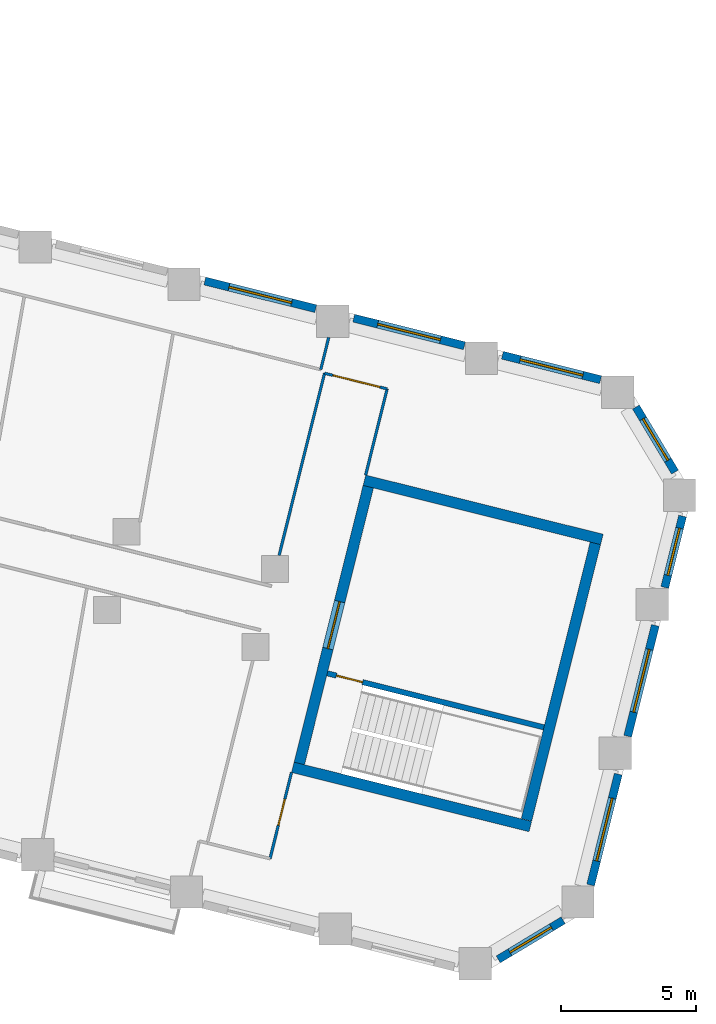
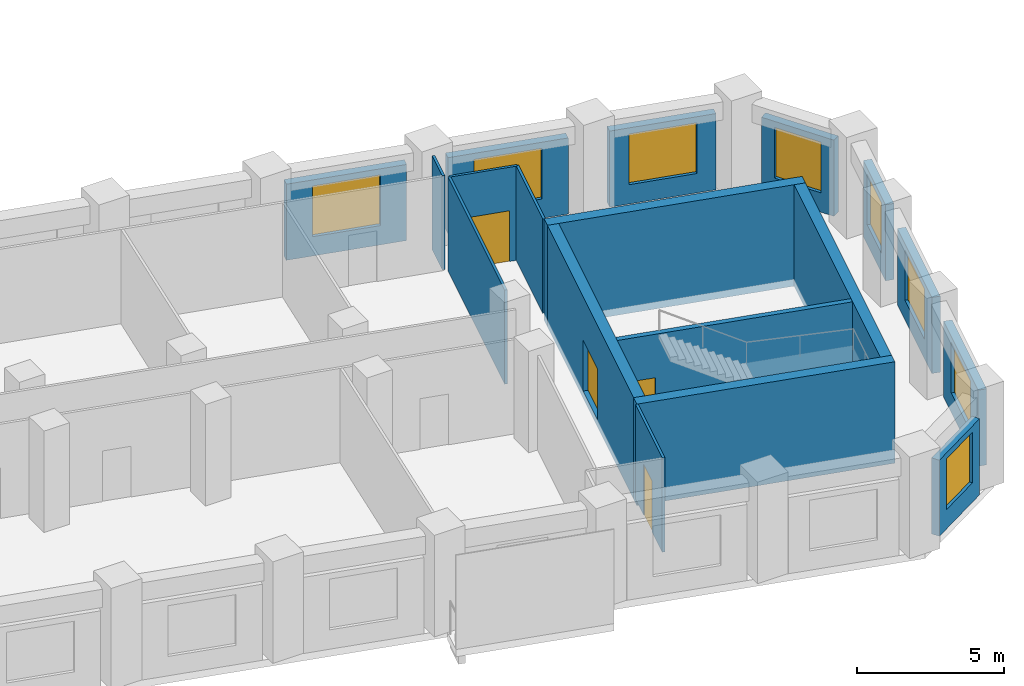
# One storey, part 7 of 10: 18 walls, 8 windows, 4 doors, 12 openings.
"""IFC4 building model written with IfcOpenShell, lengths in metres."""

import ifcopenshell
import ifcopenshell.guid

model = None  # the IFC model being written
_history = None  # IfcOwnerHistory: only IFC2X3 demands one
_inside = {}  # id of a spatial element -> (the spatial element, [elements in it])
_under = {}  # id of a project, library or spatial element -> (it, [spatial elements below it])
_declared = {}  # id of a project -> (the project, [libraries it declares])
_typed = {}  # id of a type object -> (the type object, [elements of that type])
_made_of = {}  # id of a material, layer set ... -> (it, [elements and type objects made of it])


def new_model(schema):
    """Start an empty IFC model of exactly this schema.

    Asked for "IFC4X3", IfcOpenShell would pick the latest addendum, in which some entities
    have other attributes; the version numbers below select the first issue.
    IFC2X3 requires an IfcOwnerHistory on every rooted entity: one is made here for all.
    """
    global model, _history
    if schema == "IFC4X3":
        model = ifcopenshell.file(schema_version=(4, 3, 0, 0))
    else:
        model = ifcopenshell.file(schema=schema)
    _inside.clear()
    _under.clear()
    _declared.clear()
    _typed.clear()
    _made_of.clear()
    _history = None
    if model.schema == "IFC2X3":
        org = make("IfcOrganization", Name="unknown")
        user = make(
            "IfcPersonAndOrganization",
            ThePerson=make("IfcPerson", FamilyName="unknown"),
            TheOrganization=org,
        )
        app = make(
            "IfcApplication",
            ApplicationDeveloper=org,
            Version="unknown",
            ApplicationFullName="unknown",
            ApplicationIdentifier="unknown",
        )
        _history = make(
            "IfcOwnerHistory",
            OwningUser=user,
            OwningApplication=app,
            ChangeAction="ADDED",
            CreationDate=0,
        )
    return model


def make(cls, **values):
    """One entity of the class cls with the attributes given. An attribute that is None is left unset."""
    return model.create_entity(
        cls, **{name: value for name, value in values.items() if value is not None}
    )


def rooted(cls, **values):
    """An entity with a GlobalId (a new one), such as an element, a storey or a relation."""
    return make(cls, GlobalId=ifcopenshell.guid.new(), OwnerHistory=_history, **values)


def si_unit(unit_type, name, prefix=None):
    """IfcSIUnit, for example si_unit("LENGTHUNIT", "METRE", prefix="MILLI")."""
    return make("IfcSIUnit", UnitType=unit_type, Prefix=prefix, Name=name)


def assignment(units):
    """IfcUnitAssignment: the units of a project."""
    return None if units is None else make("IfcUnitAssignment", Units=units)


def point(xyz):
    """IfcCartesianPoint."""
    return None if xyz is None else make("IfcCartesianPoint", Coordinates=xyz)


def direction(xyz):
    """IfcDirection."""
    return None if xyz is None else make("IfcDirection", DirectionRatios=xyz)


def frame(location, z_axis=None, x_axis=None):
    """IfcAxis2Placement3D, a coordinate frame: its origin and axes. An axis left out is left unset."""
    return make(
        "IfcAxis2Placement3D",
        Location=point(location),
        Axis=direction(z_axis),
        RefDirection=direction(x_axis),
    )


def frame_2d(location, x_axis=None):
    """IfcAxis2Placement2D, a coordinate frame in the plane: its origin and x axis."""
    return make(
        "IfcAxis2Placement2D", Location=point(location), RefDirection=direction(x_axis)
    )


def origin():
    """The frame at (0, 0, 0) with its axes left unset."""
    return frame((0.0, 0.0, 0.0))


def place(relative_to, where):
    """IfcLocalPlacement: puts the frame where relative to a parent placement (None: the world)."""
    return make(
        "IfcLocalPlacement", PlacementRelTo=relative_to, RelativePlacement=where
    )


def context(
    kind, dimensions, precision=None, world=None, true_north=None, identifier=None
):
    """IfcGeometricRepresentationContext, for example the 3D "Model" context."""
    return make(
        "IfcGeometricRepresentationContext",
        ContextIdentifier=identifier,
        ContextType=kind,
        CoordinateSpaceDimension=dimensions,
        Precision=precision,
        WorldCoordinateSystem=world,
        TrueNorth=true_north,
    )


def subcontext(parent, identifier, kind, view, scale=None):
    """IfcGeometricRepresentationSubContext, for example "Body" below "Model"."""
    return make(
        "IfcGeometricRepresentationSubContext",
        ContextIdentifier=identifier,
        ContextType=kind,
        ParentContext=parent,
        TargetScale=scale,
        TargetView=view,
    )


def project(units=None, contexts=None):
    """IfcProject with its units and contexts."""
    return rooted(
        "IfcProject",
        Name="project",
        RepresentationContexts=contexts,
        UnitsInContext=assignment(units),
    )


def spatial(cls, under=None, at=None, **own):
    """A site, building, storey or space (cls), placed at a placement, below another one or the project."""
    s = rooted(cls, ObjectPlacement=at, **own)
    if under is not None:
        _under.setdefault(under.id(), (under, []))[1].append(s)
    return s


def profile(cls, at=None, kind="AREA", **sizes):
    """A parametric profile (cls). Its sizes go by their IFC names, for example OverallWidth=200.0."""
    return make(cls, ProfileType=kind, Position=at, **sizes)


def rectangle(**sizes):
    """IfcRectangleProfileDef."""
    return profile("IfcRectangleProfileDef", **sizes)


def extrude(swept, where, along, depth):
    """IfcExtrudedAreaSolid: the profile swept, set in the frame where, extruded along a direction by depth."""
    return make(
        "IfcExtrudedAreaSolid",
        SweptArea=swept,
        Position=where,
        ExtrudedDirection=direction(along),
        Depth=depth,
    )


def shape(context_of_items, identifier, shape_type, items):
    """IfcShapeRepresentation: the items that make up one representation, for example the "Body"."""
    return make(
        "IfcShapeRepresentation",
        ContextOfItems=context_of_items,
        RepresentationIdentifier=identifier,
        RepresentationType=shape_type,
        Items=items,
    )


def material(Name=None, Category=None):
    """IfcMaterial."""
    return make("IfcMaterial", Name=Name, Category=Category)


def layer(
    of_material, thickness, ventilated=None, Name=None, Category=None, Priority=None
):
    """IfcMaterialLayer: one layer of a wall or slab, of a material (None: an air gap)."""
    return make(
        "IfcMaterialLayer",
        Material=of_material,
        LayerThickness=thickness,
        IsVentilated=ventilated,
        Name=Name,
        Category=Category,
        Priority=Priority,
    )


def layer_set(layers, Name=None):
    """IfcMaterialLayerSet."""
    return make("IfcMaterialLayerSet", MaterialLayers=layers, LayerSetName=Name)


def made_of(thing, what):
    """Note that an element or type object is made of a material, layer set ...; save() writes the relation."""
    if what is not None:
        _made_of.setdefault(what.id(), (what, []))[1].append(thing)
    return thing


def type_object(cls, material=None, **own):
    """A type object (cls), such as IfcWallType, which elements share."""
    return made_of(rooted(cls, **own), material)


def element(
    cls,
    number,
    at=None,
    inside=None,
    cuts=None,
    type_object=None,
    material=None,
    context=None,
    identifier="Body",
    shape_type=None,
    held_by="IfcProductDefinitionShape",
    body=None,
    shapes=None,
    **own,
):
    """One element of the class cls, such as IfcWall. Its Tag is "e" and its number.

    at: its placement. inside: the storey or other place that contains it. cuts: it is an
    opening in that element (IfcRelVoidsElement). A single representation is given by context,
    identifier, shape_type and body (its items); several are given by shapes. held_by: the class
    of the entity that holds the representations. save() writes the other relations.
    """
    e = rooted(cls, Tag="e%d" % number, ObjectPlacement=at, **own)
    if body is not None:
        shapes = [shape(context, identifier, shape_type, body)]
    if shapes is not None:
        e.Representation = make(held_by, Representations=shapes)
    if inside is not None:
        _inside.setdefault(inside.id(), (inside, []))[1].append(e)
    if cuts is not None:
        rooted(
            "IfcRelVoidsElement", RelatingBuildingElement=cuts, RelatedOpeningElement=e
        )
    if type_object is not None:
        _typed.setdefault(type_object.id(), (type_object, []))[1].append(e)
    return made_of(e, material)


def fill(opening, filler):
    """IfcRelFillsElement: the door or window that sits in an opening."""
    return rooted(
        "IfcRelFillsElement",
        RelatingOpeningElement=opening,
        RelatedBuildingElement=filler,
    )


def aggregate(whole, parts):
    """IfcRelAggregates: a whole, such as a stair, and the parts it consists of."""
    return rooted("IfcRelAggregates", RelatingObject=whole, RelatedObjects=parts)


def save(model, path):
    """Write the relations noted so far, then the file.

    IfcRelAggregates (storeys below a building ...), IfcRelContainedInSpatialStructure (elements
    in a storey), IfcRelDefinesByType, IfcRelAssociatesMaterial and IfcRelDeclares: one each for
    every whole, place, type object, material and project.
    """
    for whole, parts in _under.values():
        aggregate(whole, parts)
    for where, things in _inside.values():
        rooted(
            "IfcRelContainedInSpatialStructure",
            RelatedElements=things,
            RelatingStructure=where,
        )
    for kind, things in _typed.values():
        rooted("IfcRelDefinesByType", RelatedObjects=things, RelatingType=kind)
    for what, things in _made_of.values():
        rooted("IfcRelAssociatesMaterial", RelatedObjects=things, RelatingMaterial=what)
    for by, libraries in _declared.values():
        rooted("IfcRelDeclares", RelatingContext=by, RelatedDefinitions=libraries)
    model.write(path)


model = new_model("IFC4")

# Units and contexts
model_context = context("Model", 3, precision=1e-05, world=origin(), true_north=direction((0.0, 1.0)))
body_context = subcontext(model_context, "Body", "Model", "MODEL_VIEW")
ifc_project = project(units=[si_unit("LENGTHUNIT", "METRE"), si_unit("AREAUNIT", "SQUARE_METRE"), si_unit("VOLUMEUNIT", "CUBIC_METRE"), si_unit("PLANEANGLEUNIT", "RADIAN"), si_unit("MASSUNIT", "GRAM", prefix="KILO")], contexts=[model_context])

# Site, building, storey
site_placement = place(None, origin())
site = spatial("IfcSite", under=ifc_project, at=site_placement, CompositionType="ELEMENT")
building_placement = place(site_placement, origin())
building = spatial("IfcBuilding", under=site, at=building_placement, Name="Meshkara Civic Tower", CompositionType="ELEMENT")
storey_placement = place(building_placement, frame((0.0, 0.0, 207.60009765625)))
storey = spatial("IfcBuildingStorey", under=building, at=storey_placement, Name="L47", CompositionType="ELEMENT", Elevation=207.60009765625)

# Wall, opening, door
ifc_material_1 = material(Name="Corridor wall 100")
ifc_layer_1 = layer(ifc_material_1, 0.10009765625)
ifc_layer_set_1 = layer_set([ifc_layer_1], Name="Corridor wall 100")
wall_type_1 = type_object("IfcWallType", Name="Corridor wall 100", PredefinedType="PARTITIONING", material=ifc_layer_set_1)
wall_1_placement = place(storey_placement, frame((64.202880859375, -13.533935546875, 0.0), z_axis=(0.0, 0.0, 1.0), x_axis=(0.241856645367, 0.970311992656, 0.0)))
wall_1 = element("IfcWall", 1, at=wall_1_placement, inside=storey, type_object=wall_type_1, Name="L47-W029", PredefinedType="PARTITIONING", context=body_context, shape_type="SweptSolid", body=[
    extrude(rectangle(XDim=3.2998046875, YDim=0.10009765625, at=frame_2d((1.64990234375, 0.0))), origin(), (0.0, 0.0, 1.0), 3.89990234375),
])
opening_1_placement = place(wall_1_placement, frame((1.280029296875, 0.0, 0.0)))
opening_1 = element("IfcOpeningElement", 2, at=opening_1_placement, cuts=wall_1, Name="Opening L47-D001", PredefinedType="OPENING", context=body_context, shape_type="SweptSolid", body=[
    extrude(rectangle(XDim=1.0, YDim=2.10009765625, at=frame_2d((0.5, 1.050048828125))), frame((0.0, 0.06005859375, 0.0), z_axis=(0.0, -1.0, 0.0), x_axis=(1.0, 0.0, 0.0)), (0.0, 0.0, 1.0), 0.1201171875),
])
ifc_material_2 = material(Name="Door 1000 x 2100")
door_type_1 = type_object("IfcDoorType", Name="Door 1000 x 2100", OperationType="SINGLE_SWING_LEFT", PredefinedType="DOOR", material=ifc_material_2)
door_1_placement = place(opening_1_placement, origin())
door_1 = element("IfcDoor", 3, at=door_1_placement, inside=storey, type_object=door_type_1, Name="L47-D001", OperationType="SINGLE_SWING_LEFT", OverallHeight=2.10009765625, OverallWidth=1.0, PredefinedType="DOOR", context=body_context, shape_type="SweptSolid", body=[
    extrude(rectangle(XDim=1.0, YDim=2.10009765625, at=frame_2d((0.5, 1.050048828125))), frame((0.0, 0.02490234375, 0.0), z_axis=(0.0, -1.0, 0.0), x_axis=(1.0, 0.0, 0.0)), (0.0, 0.0, 1.0), 0.050048828125),
])
fill(opening_1, door_1)

# Walls
wall_2_placement = place(storey_placement, frame((66.0869140625, 4.64990234375, 0.0), z_axis=(0.0, 0.0, 1.0), x_axis=(0.24202255973, 0.970270622343, 0.0)))
element("IfcWall", 4, at=wall_2_placement, inside=storey, type_object=wall_type_1, Name="L47-W030", PredefinedType="PARTITIONING", context=body_context, shape_type="SweptSolid", body=[
    extrude(rectangle(XDim=1.231689453125, YDim=0.10009765625, at=frame_2d((0.61572265625, 0.0))), origin(), (0.0, 0.0, 1.0), 3.89990234375),
])
wall_3_placement = place(storey_placement, frame((66.22900390625, 4.511962890625, 0.0), z_axis=(0.0, 0.0, 1.0), x_axis=(-0.24195951758, -0.970286345288, 0.0)))
element("IfcWall", 5, at=wall_3_placement, inside=storey, type_object=wall_type_1, Name="L47-W031", PredefinedType="PARTITIONING", context=body_context, shape_type="SweptSolid", body=[
    extrude(rectangle(XDim=6.98046875, YDim=0.10009765625, at=frame_2d((3.490234375, 0.0))), origin(), (0.0, 0.0, 1.0), 3.89990234375),
])
wall_4_placement = place(storey_placement, frame((67.759033203125, 0.72900390625, 0.0), z_axis=(0.0, 0.0, 1.0), x_axis=(0.241786986316, 0.970329352977, 0.0)))
element("IfcWall", 6, at=wall_4_placement, inside=storey, type_object=wall_type_1, Name="L47-W032", PredefinedType="PARTITIONING", context=body_context, shape_type="SweptSolid", body=[
    extrude(rectangle(XDim=3.2998046875, YDim=0.10009765625, at=frame_2d((1.64990234375, 0.0))), origin(), (0.0, 0.0, 1.0), 3.89990234375),
])

# Wall, opening, door
wall_5_placement = place(storey_placement, frame((68.556884765625, 3.930908203125, 0.0), z_axis=(0.0, 0.0, 1.0), x_axis=(-0.970232217337, 0.242176473756, 0.0)))
wall_5 = element("IfcWall", 7, at=wall_5_placement, inside=storey, type_object=wall_type_1, Name="L47-W033", PredefinedType="PARTITIONING", context=body_context, shape_type="SweptSolid", body=[
    extrude(rectangle(XDim=2.3994140625, YDim=0.10009765625, at=frame_2d((1.19970703125, 0.0))), origin(), (0.0, 0.0, 1.0), 3.89990234375),
])
opening_2_placement = place(wall_5_placement, frame((0.280029296875, 0.0, 0.0)))
opening_2 = element("IfcOpeningElement", 8, at=opening_2_placement, cuts=wall_5, Name="Opening L47-D011", PredefinedType="OPENING", context=body_context, shape_type="SweptSolid", body=[
    extrude(rectangle(XDim=1.800048828125, YDim=2.10009765625, at=frame_2d((0.89990234375, 1.050048828125))), frame((0.0, 0.06005859375, 0.0), z_axis=(0.0, -1.0, 0.0), x_axis=(1.0, 0.0, 0.0)), (0.0, 0.0, 1.0), 0.1201171875),
])
ifc_material_3 = material(Name="Door pair 1800 x 2100")
door_type_2 = type_object("IfcDoorType", Name="Door pair 1800 x 2100", OperationType="SINGLE_SWING_LEFT", PredefinedType="DOOR", material=ifc_material_3)
door_2_placement = place(opening_2_placement, origin())
door_2 = element("IfcDoor", 9, at=door_2_placement, inside=storey, type_object=door_type_2, Name="L47-D011", OperationType="DOUBLE_DOOR_SINGLE_SWING", OverallHeight=2.10009765625, OverallWidth=1.800048828125, PredefinedType="DOOR", context=body_context, shape_type="SweptSolid", body=[
    extrude(rectangle(XDim=1.800048828125, YDim=2.10009765625, at=frame_2d((0.89990234375, 1.050048828125))), frame((0.0, 0.02490234375, 0.0), z_axis=(0.0, -1.0, 0.0), x_axis=(1.0, 0.0, 0.0)), (0.0, 0.0, 1.0), 0.050048828125),
])
fill(opening_2, door_2)

# Wall, opening, window
ifc_material_4 = material(Name="Insulated infill panel with bronze anodised aluminium cladding", Category="aluminium")
ifc_layer_2 = layer(ifc_material_4, 0.300048828125)
ifc_layer_set_2 = layer_set([ifc_layer_2], Name="EXTERNAL INFILL WALL 300")
wall_type_2 = type_object("IfcWallType", Name="EXTERNAL INFILL WALL 300", PredefinedType="SOLIDWALL", material=ifc_layer_set_2)
wall_6_placement = place(storey_placement, frame((76.491943359375, 4.27197265625, 0.0), z_axis=(0.0, 0.0, 1.0), x_axis=(-0.970348377394, 0.241710625521, 0.0)))
wall_6 = element("IfcWall", 10, at=wall_6_placement, inside=storey, type_object=wall_type_2, Name="External wall", PredefinedType="SOLIDWALL", context=body_context, shape_type="SweptSolid", body=[
    extrude(rectangle(XDim=3.760498046875, YDim=0.300048828125, at=frame_2d((1.88037109375, 0.0))), origin(), (0.0, 0.0, 1.0), 3.14990234375),
])
opening_3_placement = place(wall_6_placement, frame((0.679931640625, 0.0, 0.800048828125)))
opening_3 = element("IfcOpeningElement", 11, at=opening_3_placement, cuts=wall_6, Name="Opening W7", PredefinedType="OPENING", context=body_context, shape_type="SweptSolid", body=[
    extrude(rectangle(XDim=2.39990234375, YDim=2.10009765625, at=frame_2d((1.199951171875, 1.050048828125))), frame((0.0, 0.159912109375, 0.0), z_axis=(0.0, -1.0, 0.0), x_axis=(1.0, 0.0, 0.0)), (0.0, 0.0, 1.0), 0.320068359375),
])
ifc_material_5 = material(Name="Tinted double glazing", Category="glass")
window_type_1 = type_object("IfcWindowType", Name="WINDOW 2400x2100", PartitioningType="DOUBLE_PANEL_VERTICAL", PredefinedType="WINDOW", material=ifc_material_5)
window_1_placement = place(opening_3_placement, origin())
window_1 = element("IfcWindow", 12, at=window_1_placement, inside=storey, type_object=window_type_1, Name="Window", OverallHeight=2.10009765625, OverallWidth=2.39990234375, PartitioningType="DOUBLE_PANEL_VERTICAL", PredefinedType="WINDOW", context=body_context, shape_type="SweptSolid", body=[
    extrude(rectangle(XDim=2.39990234375, YDim=2.10009765625, at=frame_2d((1.199951171875, 1.050048828125))), frame((0.0, 0.030029296875, 0.0), z_axis=(0.0, -1.0, 0.0), x_axis=(1.0, 0.0, 0.0)), (0.0, 0.0, 1.0), 0.06005859375),
])
fill(opening_3, window_1)

wall_7_placement = place(storey_placement, frame((71.431884765625, 5.532958984375, 0.0), z_axis=(0.0, 0.0, 1.0), x_axis=(-0.970301260502, 0.241899697951, 0.0)))
wall_7 = element("IfcWall", 13, at=wall_7_placement, inside=storey, type_object=wall_type_2, Name="External wall", PredefinedType="SOLIDWALL", context=body_context, shape_type="SweptSolid", body=[
    extrude(rectangle(XDim=4.24609375, YDim=0.300048828125, at=frame_2d((2.123046875, 0.0))), origin(), (0.0, 0.0, 1.0), 3.14990234375),
])
opening_4_placement = place(wall_7_placement, frame((0.923095703125, 0.0, 0.800048828125)))
opening_4 = element("IfcOpeningElement", 14, at=opening_4_placement, cuts=wall_7, Name="Opening W7", PredefinedType="OPENING", context=body_context, shape_type="SweptSolid", body=[
    extrude(rectangle(XDim=2.39990234375, YDim=2.10009765625, at=frame_2d((1.199951171875, 1.050048828125))), frame((0.0, 0.159912109375, 0.0), z_axis=(0.0, -1.0, 0.0), x_axis=(1.0, 0.0, 0.0)), (0.0, 0.0, 1.0), 0.320068359375),
])
window_2_placement = place(opening_4_placement, origin())
window_2 = element("IfcWindow", 15, at=window_2_placement, inside=storey, type_object=window_type_1, Name="Window", OverallHeight=2.10009765625, OverallWidth=2.39990234375, PartitioningType="DOUBLE_PANEL_VERTICAL", PredefinedType="WINDOW", context=body_context, shape_type="SweptSolid", body=[
    extrude(rectangle(XDim=2.39990234375, YDim=2.10009765625, at=frame_2d((1.199951171875, 1.050048828125))), frame((0.0, 0.030029296875, 0.0), z_axis=(0.0, -1.0, 0.0), x_axis=(1.0, 0.0, 0.0)), (0.0, 0.0, 1.0), 0.06005859375),
])
fill(opening_4, window_2)

wall_8_placement = place(storey_placement, frame((65.90087890625, 6.912109375, 0.0), z_axis=(0.0, 0.0, 1.0), x_axis=(-0.970260760633, 0.242062091986, 0.0)))
wall_8 = element("IfcWall", 16, at=wall_8_placement, inside=storey, type_object=wall_type_2, Name="External wall", PredefinedType="SOLIDWALL", context=body_context, shape_type="SweptSolid", body=[
    extrude(rectangle(XDim=4.24609375, YDim=0.300048828125, at=frame_2d((2.123046875, 0.0))), origin(), (0.0, 0.0, 1.0), 3.14990234375),
])
opening_5_placement = place(wall_8_placement, frame((0.923095703125, 0.0, 0.800048828125)))
opening_5 = element("IfcOpeningElement", 17, at=opening_5_placement, cuts=wall_8, Name="Opening W7", PredefinedType="OPENING", context=body_context, shape_type="SweptSolid", body=[
    extrude(rectangle(XDim=2.39990234375, YDim=2.10009765625, at=frame_2d((1.199951171875, 1.050048828125))), frame((0.0, 0.159912109375, 0.0), z_axis=(0.0, -1.0, 0.0), x_axis=(1.0, 0.0, 0.0)), (0.0, 0.0, 1.0), 0.320068359375),
])
window_3_placement = place(opening_5_placement, origin())
window_3 = element("IfcWindow", 18, at=window_3_placement, inside=storey, type_object=window_type_1, Name="Window", OverallHeight=2.10009765625, OverallWidth=2.39990234375, PartitioningType="DOUBLE_PANEL_VERTICAL", PredefinedType="WINDOW", context=body_context, shape_type="SweptSolid", body=[
    extrude(rectangle(XDim=2.39990234375, YDim=2.10009765625, at=frame_2d((1.199951171875, 1.050048828125))), frame((0.0, 0.030029296875, 0.0), z_axis=(0.0, -1.0, 0.0), x_axis=(1.0, 0.0, 0.0)), (0.0, 0.0, 1.0), 0.06005859375),
])
fill(opening_5, window_3)

wall_9_placement = place(storey_placement, frame((72.68701171875, -17.277099609375, 0.0), z_axis=(0.0, 0.0, 1.0), x_axis=(0.857309341171, 0.514801606, 0.0)))
wall_9 = element("IfcWall", 19, at=wall_9_placement, inside=storey, type_object=wall_type_2, Name="External wall", PredefinedType="SOLIDWALL", context=body_context, shape_type="SweptSolid", body=[
    extrude(rectangle(XDim=2.81689453125, YDim=0.300048828125, at=frame_2d((1.408447265625, 0.0))), origin(), (0.0, 0.0, 1.0), 3.14990234375),
])
opening_6_placement = place(wall_9_placement, frame((0.508056640625, 0.0, 0.800048828125)))
opening_6 = element("IfcOpeningElement", 20, at=opening_6_placement, cuts=wall_9, Name="Opening W9", PredefinedType="OPENING", context=body_context, shape_type="SweptSolid", body=[
    extrude(rectangle(XDim=1.800048828125, YDim=2.10009765625, at=frame_2d((0.89990234375, 1.050048828125))), frame((0.0, 0.159912109375, 0.0), z_axis=(0.0, -1.0, 0.0), x_axis=(1.0, 0.0, 0.0)), (0.0, 0.0, 1.0), 0.320068359375),
])
ifc_material_6 = material(Name="Tinted double glazing", Category="glass")
window_type_2 = type_object("IfcWindowType", Name="WINDOW 1800x2100", PartitioningType="DOUBLE_PANEL_VERTICAL", PredefinedType="WINDOW", material=ifc_material_6)
window_4_placement = place(opening_6_placement, origin())
window_4 = element("IfcWindow", 21, at=window_4_placement, inside=storey, type_object=window_type_2, Name="Window", OverallHeight=2.10009765625, OverallWidth=1.800048828125, PartitioningType="DOUBLE_PANEL_VERTICAL", PredefinedType="WINDOW", context=body_context, shape_type="SweptSolid", body=[
    extrude(rectangle(XDim=1.800048828125, YDim=2.10009765625, at=frame_2d((0.89990234375, 1.050048828125))), frame((0.0, 0.030029296875, 0.0), z_axis=(0.0, -1.0, 0.0), x_axis=(1.0, 0.0, 0.0)), (0.0, 0.0, 1.0), 0.06005859375),
])
fill(opening_6, window_4)

wall_10_placement = place(storey_placement, frame((76.12109375, -14.511962890625, 0.0), z_axis=(0.0, 0.0, 1.0), x_axis=(0.241845562088, 0.970314755169, 0.0)))
wall_10 = element("IfcWall", 22, at=wall_10_placement, inside=storey, type_object=wall_type_2, Name="External wall", PredefinedType="SOLIDWALL", context=body_context, shape_type="SweptSolid", body=[
    extrude(rectangle(XDim=4.245849609375, YDim=0.300048828125, at=frame_2d((2.123046875, 0.0))), origin(), (0.0, 0.0, 1.0), 3.14990234375),
])
opening_7_placement = place(wall_10_placement, frame((0.923095703125, 0.0, 0.800048828125)))
opening_7 = element("IfcOpeningElement", 23, at=opening_7_placement, cuts=wall_10, Name="Opening W7", PredefinedType="OPENING", context=body_context, shape_type="SweptSolid", body=[
    extrude(rectangle(XDim=2.39990234375, YDim=2.10009765625, at=frame_2d((1.199951171875, 1.050048828125))), frame((0.0, 0.159912109375, 0.0), z_axis=(0.0, -1.0, 0.0), x_axis=(1.0, 0.0, 0.0)), (0.0, 0.0, 1.0), 0.320068359375),
])
window_5_placement = place(opening_7_placement, origin())
window_5 = element("IfcWindow", 24, at=window_5_placement, inside=storey, type_object=window_type_1, Name="Window", OverallHeight=2.10009765625, OverallWidth=2.39990234375, PartitioningType="DOUBLE_PANEL_VERTICAL", PredefinedType="WINDOW", context=body_context, shape_type="SweptSolid", body=[
    extrude(rectangle(XDim=2.39990234375, YDim=2.10009765625, at=frame_2d((1.199951171875, 1.050048828125))), frame((0.0, 0.030029296875, 0.0), z_axis=(0.0, -1.0, 0.0), x_axis=(1.0, 0.0, 0.0)), (0.0, 0.0, 1.0), 0.06005859375),
])
fill(opening_7, window_5)

wall_11_placement = place(storey_placement, frame((77.5, -8.98095703125, 0.0), z_axis=(0.0, 0.0, 1.0), x_axis=(0.241682938765, 0.970355273655, 0.0)))
wall_11 = element("IfcWall", 25, at=wall_11_placement, inside=storey, type_object=wall_type_2, Name="External wall", PredefinedType="SOLIDWALL", context=body_context, shape_type="SweptSolid", body=[
    extrude(rectangle(XDim=4.24462890625, YDim=0.300048828125, at=frame_2d((2.122314453125, 0.0))), origin(), (0.0, 0.0, 1.0), 3.14990234375),
])
opening_8_placement = place(wall_11_placement, frame((0.922119140625, 0.0, 0.800048828125)))
opening_8 = element("IfcOpeningElement", 26, at=opening_8_placement, cuts=wall_11, Name="Opening W7", PredefinedType="OPENING", context=body_context, shape_type="SweptSolid", body=[
    extrude(rectangle(XDim=2.39990234375, YDim=2.10009765625, at=frame_2d((1.199951171875, 1.050048828125))), frame((0.0, 0.159912109375, 0.0), z_axis=(0.0, -1.0, 0.0), x_axis=(1.0, 0.0, 0.0)), (0.0, 0.0, 1.0), 0.320068359375),
])
window_6_placement = place(opening_8_placement, origin())
window_6 = element("IfcWindow", 27, at=window_6_placement, inside=storey, type_object=window_type_1, Name="Window", OverallHeight=2.10009765625, OverallWidth=2.39990234375, PartitioningType="DOUBLE_PANEL_VERTICAL", PredefinedType="WINDOW", context=body_context, shape_type="SweptSolid", body=[
    extrude(rectangle(XDim=2.39990234375, YDim=2.10009765625, at=frame_2d((1.199951171875, 1.050048828125))), frame((0.0, 0.030029296875, 0.0), z_axis=(0.0, -1.0, 0.0), x_axis=(1.0, 0.0, 0.0)), (0.0, 0.0, 1.0), 0.06005859375),
])
fill(opening_8, window_6)

wall_12_placement = place(storey_placement, frame((78.8779296875, -3.450927734375, 0.0), z_axis=(0.0, 0.0, 1.0), x_axis=(0.24190501074, 0.970299935988, 0.0)))
wall_12 = element("IfcWall", 28, at=wall_12_placement, inside=storey, type_object=wall_type_2, Name="External wall", PredefinedType="SOLIDWALL", context=body_context, shape_type="SweptSolid", body=[
    extrude(rectangle(XDim=2.73291015625, YDim=0.300048828125, at=frame_2d((1.366455078125, 0.0))), origin(), (0.0, 0.0, 1.0), 3.14990234375),
])
opening_9_placement = place(wall_12_placement, frame((0.466064453125, 0.0, 0.800048828125)))
opening_9 = element("IfcOpeningElement", 29, at=opening_9_placement, cuts=wall_12, Name="Opening W9", PredefinedType="OPENING", context=body_context, shape_type="SweptSolid", body=[
    extrude(rectangle(XDim=1.800048828125, YDim=2.10009765625, at=frame_2d((0.89990234375, 1.050048828125))), frame((0.0, 0.159912109375, 0.0), z_axis=(0.0, -1.0, 0.0), x_axis=(1.0, 0.0, 0.0)), (0.0, 0.0, 1.0), 0.320068359375),
])
window_7_placement = place(opening_9_placement, origin())
window_7 = element("IfcWindow", 30, at=window_7_placement, inside=storey, type_object=window_type_2, Name="Window", OverallHeight=2.10009765625, OverallWidth=1.800048828125, PartitioningType="DOUBLE_PANEL_VERTICAL", PredefinedType="WINDOW", context=body_context, shape_type="SweptSolid", body=[
    extrude(rectangle(XDim=1.800048828125, YDim=2.10009765625, at=frame_2d((0.89990234375, 1.050048828125))), frame((0.0, 0.030029296875, 0.0), z_axis=(0.0, -1.0, 0.0), x_axis=(1.0, 0.0, 0.0)), (0.0, 0.0, 1.0), 0.06005859375),
])
fill(opening_9, window_7)

wall_13_placement = place(storey_placement, frame((79.257080078125, 0.839111328125, 0.0), z_axis=(0.0, 0.0, 1.0), x_axis=(-0.514992914014, 0.857194434487, 0.0)))
wall_13 = element("IfcWall", 31, at=wall_13_placement, inside=storey, type_object=wall_type_2, Name="External wall", PredefinedType="SOLIDWALL", context=body_context, shape_type="SweptSolid", body=[
    extrude(rectangle(XDim=2.81591796875, YDim=0.300048828125, at=frame_2d((1.407958984375, 0.0))), origin(), (0.0, 0.0, 1.0), 3.14990234375),
])
opening_10_placement = place(wall_13_placement, frame((0.508056640625, 0.0, 0.800048828125)))
opening_10 = element("IfcOpeningElement", 32, at=opening_10_placement, cuts=wall_13, Name="Opening W9", PredefinedType="OPENING", context=body_context, shape_type="SweptSolid", body=[
    extrude(rectangle(XDim=1.800048828125, YDim=2.10009765625, at=frame_2d((0.89990234375, 1.050048828125))), frame((0.0, 0.159912109375, 0.0), z_axis=(0.0, -1.0, 0.0), x_axis=(1.0, 0.0, 0.0)), (0.0, 0.0, 1.0), 0.320068359375),
])
window_8_placement = place(opening_10_placement, origin())
window_8 = element("IfcWindow", 33, at=window_8_placement, inside=storey, type_object=window_type_2, Name="Window", OverallHeight=2.10009765625, OverallWidth=1.800048828125, PartitioningType="DOUBLE_PANEL_VERTICAL", PredefinedType="WINDOW", context=body_context, shape_type="SweptSolid", body=[
    extrude(rectangle(XDim=1.800048828125, YDim=2.10009765625, at=frame_2d((0.89990234375, 1.050048828125))), frame((0.0, 0.030029296875, 0.0), z_axis=(0.0, -1.0, 0.0), x_axis=(1.0, 0.0, 0.0)), (0.0, 0.0, 1.0), 0.06005859375),
])
fill(opening_10, window_8)

# Walls
ifc_material_7 = material(Name="Concrete C70", Category="concrete")
ifc_layer_3 = layer(ifc_material_7, 0.39990234375)
ifc_layer_set_3 = layer_set([ifc_layer_3], Name="End core ring wall 400 C70")
wall_type_3 = type_object("IfcWallType", Name="End core ring wall 400 C70", PredefinedType="SHEAR", material=ifc_layer_set_3)
for number, where, z_axis, x_axis, name in (
    (34, (65.050048828125, -10.137939453125, -0.300048828125), (0.0, 0.0, 1.0), (0.970273354879, -0.242011604707, 0.0), "L47-C028"),
    (35, (67.7109375, 0.534912109375, -0.300048828125), (0.0, 0.0, 1.0), (0.970306418893, -0.241879005816, 0.0), "L47-C029"),
):
    element("IfcWall", number, at=place(storey_placement, frame(where, z_axis=z_axis, x_axis=x_axis)), inside=storey, type_object=wall_type_3, Name=name, PredefinedType="SHEAR", context=body_context, shape_type="SweptSolid", body=[
        extrude(rectangle(XDim=9.099365234375, YDim=0.39990234375, at=frame_2d((4.5498046875, 0.0))), origin(), (0.0, 0.0, 1.0), 4.199951171875),
    ])

# Wall, opening, door
wall_14_placement = place(storey_placement, frame((65.2919921875, -9.991943359375, -0.300048828125), z_axis=(0.0, 0.0, 1.0), x_axis=(0.241890652548, 0.970303515509, 0.0)))
wall_14 = element("IfcWall", 36, at=wall_14_placement, inside=storey, type_object=wall_type_3, Name="L47-C030", PredefinedType="SHEAR", context=body_context, shape_type="SweptSolid", body=[
    extrude(rectangle(XDim=10.599609375, YDim=0.39990234375, at=frame_2d((5.2998046875, 0.0))), origin(), (0.0, 0.0, 1.0), 4.199951171875),
])
opening_11_placement = place(wall_14_placement, frame((4.39990234375, 0.0, 0.300048828125)))
opening_11 = element("IfcOpeningElement", 37, at=opening_11_placement, cuts=wall_14, Name="Opening L47-K202", PredefinedType="OPENING", context=body_context, shape_type="SweptSolid", body=[
    extrude(rectangle(XDim=1.800048828125, YDim=2.10009765625, at=frame_2d((0.89990234375, 1.050048828125))), frame((0.0, 0.2099609375, 0.0), z_axis=(0.0, -1.0, 0.0), x_axis=(1.0, 0.0, 0.0)), (0.0, 0.0, 1.0), 0.419921875),
])
ifc_material_8 = material(Name="Fire-rated door leaf in steel frame", Category="steel")
door_type_3 = type_object("IfcDoorType", Name="Core double door 1800 EI 60", OperationType="DOUBLE_DOOR_SINGLE_SWING", PredefinedType="DOOR", material=ifc_material_8)
door_3_placement = place(opening_11_placement, origin())
door_3 = element("IfcDoor", 38, at=door_3_placement, inside=storey, type_object=door_type_3, Name="L47-K202", OperationType="DOUBLE_DOOR_SINGLE_SWING", OverallHeight=2.10009765625, OverallWidth=1.800048828125, PredefinedType="DOOR", context=body_context, shape_type="SweptSolid", body=[
    extrude(rectangle(XDim=1.800048828125, YDim=2.10009765625, at=frame_2d((0.89990234375, 1.050048828125))), frame((0.0, 0.02490234375, 0.0), z_axis=(0.0, -1.0, 0.0), x_axis=(1.0, 0.0, 0.0)), (0.0, 0.0, 1.0), 0.050048828125),
])
fill(opening_11, door_3)

# Wall
wall_15_placement = place(storey_placement, frame((73.73388671875, -12.096923828125, -0.300048828125), z_axis=(0.0, 0.0, 1.0), x_axis=(0.241912337509, 0.970298109326, 0.0)))
element("IfcWall", 39, at=wall_15_placement, inside=storey, type_object=wall_type_3, Name="L47-C031", PredefinedType="SHEAR", context=body_context, shape_type="SweptSolid", body=[
    extrude(rectangle(XDim=10.599853515625, YDim=0.39990234375, at=frame_2d((5.2998046875, 0.0))), origin(), (0.0, 0.0, 1.0), 4.199951171875),
])

# Wall, opening, door
ifc_material_9 = material(Name="Concrete C40/50", Category="concrete")
ifc_layer_4 = layer(ifc_material_9, 0.199951171875)
ifc_layer_set_4 = layer_set([ifc_layer_4], Name="Stair enclosure wall 200 C40/50")
wall_type_4 = type_object("IfcWallType", Name="Stair enclosure wall 200 C40/50", PredefinedType="SOLIDWALL", material=ifc_layer_set_4)
wall_16_placement = place(storey_placement, frame((66.3330078125, -6.64501953125, 0.0), z_axis=(0.0, 0.0, 1.0), x_axis=(0.970289402158, -0.241947258837, 0.0)))
wall_16 = element("IfcWall", 40, at=wall_16_placement, inside=storey, type_object=wall_type_4, Name="L47-C032", PredefinedType="SOLIDWALL", context=body_context, shape_type="SweptSolid", body=[
    extrude(rectangle(XDim=8.299560546875, YDim=0.199951171875, at=frame_2d((4.14990234375, 0.0))), origin(), (0.0, 0.0, 1.0), 3.89990234375),
])
opening_12_placement = place(wall_16_placement, frame((0.35009765625, 0.0, 0.0)))
opening_12 = element("IfcOpeningElement", 41, at=opening_12_placement, cuts=wall_16, Name="Opening L47-K201", PredefinedType="OPENING", context=body_context, shape_type="SweptSolid", body=[
    extrude(rectangle(XDim=1.0, YDim=2.10009765625, at=frame_2d((0.5, 1.050048828125))), frame((0.0, 0.10986328125, 0.0), z_axis=(0.0, -1.0, 0.0), x_axis=(1.0, 0.0, 0.0)), (0.0, 0.0, 1.0), 0.219970703125),
])
ifc_material_10 = material(Name="Fire-rated door leaf in steel frame", Category="steel")
door_type_4 = type_object("IfcDoorType", Name="Stair door 1000 EI 120", OperationType="SINGLE_SWING_LEFT", PredefinedType="DOOR", material=ifc_material_10)
door_4_placement = place(opening_12_placement, origin())
door_4 = element("IfcDoor", 42, at=door_4_placement, inside=storey, type_object=door_type_4, Name="L47-K201", OperationType="SINGLE_SWING_LEFT", OverallHeight=2.10009765625, OverallWidth=1.0, PredefinedType="DOOR", context=body_context, shape_type="SweptSolid", body=[
    extrude(rectangle(XDim=1.0, YDim=2.10009765625, at=frame_2d((0.5, 1.050048828125))), frame((0.0, 0.02490234375, 0.0), z_axis=(0.0, -1.0, 0.0), x_axis=(1.0, 0.0, 0.0)), (0.0, 0.0, 1.0), 0.050048828125),
])
fill(opening_12, door_4)

save(model, "model.ifc")
